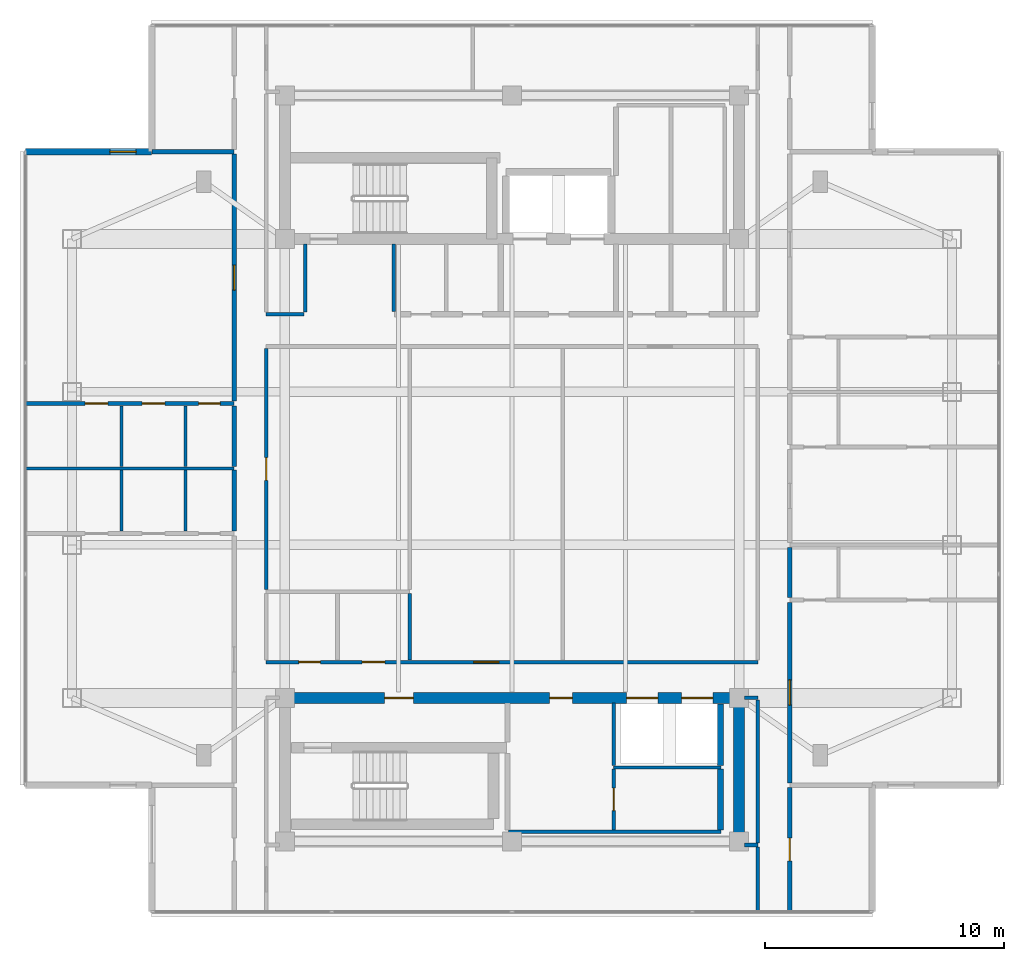
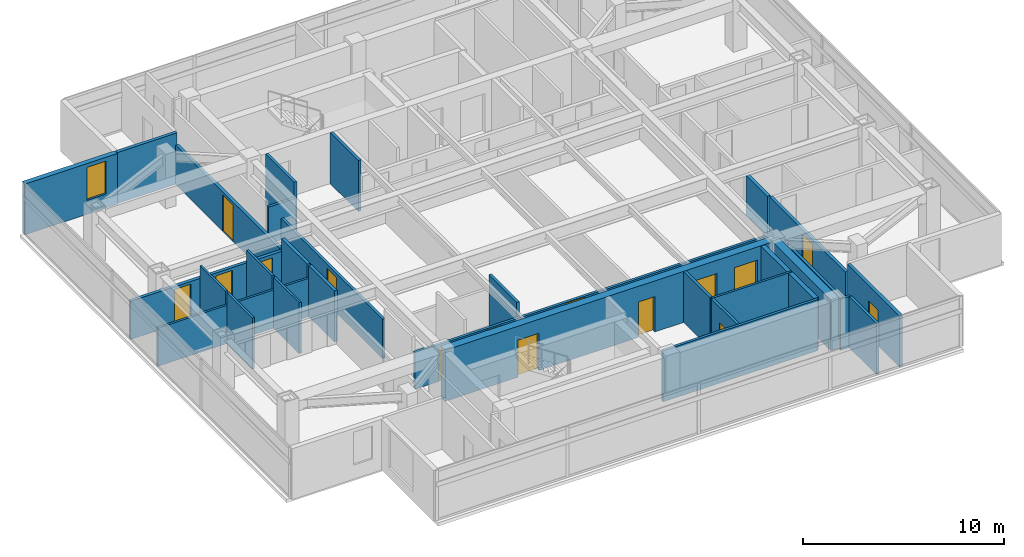
# One storey, part 7 of 12: 32 walls, 15 doors, 1 window, 16 openings.
"""IFC4 building model written with IfcOpenShell, lengths in metres."""

import ifcopenshell
import ifcopenshell.guid

model = None  # the IFC model being written
_history = None  # IfcOwnerHistory: only IFC2X3 demands one
_inside = {}  # id of a spatial element -> (the spatial element, [elements in it])
_under = {}  # id of a project, library or spatial element -> (it, [spatial elements below it])
_declared = {}  # id of a project -> (the project, [libraries it declares])
_typed = {}  # id of a type object -> (the type object, [elements of that type])
_made_of = {}  # id of a material, layer set ... -> (it, [elements and type objects made of it])


def new_model(schema):
    """Start an empty IFC model of exactly this schema.

    Asked for "IFC4X3", IfcOpenShell would pick the latest addendum, in which some entities
    have other attributes; the version numbers below select the first issue.
    IFC2X3 requires an IfcOwnerHistory on every rooted entity: one is made here for all.
    """
    global model, _history
    if schema == "IFC4X3":
        model = ifcopenshell.file(schema_version=(4, 3, 0, 0))
    else:
        model = ifcopenshell.file(schema=schema)
    _inside.clear()
    _under.clear()
    _declared.clear()
    _typed.clear()
    _made_of.clear()
    _history = None
    if model.schema == "IFC2X3":
        org = make("IfcOrganization", Name="unknown")
        user = make(
            "IfcPersonAndOrganization",
            ThePerson=make("IfcPerson", FamilyName="unknown"),
            TheOrganization=org,
        )
        app = make(
            "IfcApplication",
            ApplicationDeveloper=org,
            Version="unknown",
            ApplicationFullName="unknown",
            ApplicationIdentifier="unknown",
        )
        _history = make(
            "IfcOwnerHistory",
            OwningUser=user,
            OwningApplication=app,
            ChangeAction="ADDED",
            CreationDate=0,
        )
    return model


def make(cls, **values):
    """One entity of the class cls with the attributes given. An attribute that is None is left unset."""
    return model.create_entity(
        cls, **{name: value for name, value in values.items() if value is not None}
    )


def rooted(cls, **values):
    """An entity with a GlobalId (a new one), such as an element, a storey or a relation."""
    return make(cls, GlobalId=ifcopenshell.guid.new(), OwnerHistory=_history, **values)


def si_unit(unit_type, name, prefix=None):
    """IfcSIUnit, for example si_unit("LENGTHUNIT", "METRE", prefix="MILLI")."""
    return make("IfcSIUnit", UnitType=unit_type, Prefix=prefix, Name=name)


def assignment(units):
    """IfcUnitAssignment: the units of a project."""
    return None if units is None else make("IfcUnitAssignment", Units=units)


def point(xyz):
    """IfcCartesianPoint."""
    return None if xyz is None else make("IfcCartesianPoint", Coordinates=xyz)


def direction(xyz):
    """IfcDirection."""
    return None if xyz is None else make("IfcDirection", DirectionRatios=xyz)


def frame(location, z_axis=None, x_axis=None):
    """IfcAxis2Placement3D, a coordinate frame: its origin and axes. An axis left out is left unset."""
    return make(
        "IfcAxis2Placement3D",
        Location=point(location),
        Axis=direction(z_axis),
        RefDirection=direction(x_axis),
    )


def frame_2d(location, x_axis=None):
    """IfcAxis2Placement2D, a coordinate frame in the plane: its origin and x axis."""
    return make(
        "IfcAxis2Placement2D", Location=point(location), RefDirection=direction(x_axis)
    )


def origin():
    """The frame at (0, 0, 0) with its axes left unset."""
    return frame((0.0, 0.0, 0.0))


def place(relative_to, where):
    """IfcLocalPlacement: puts the frame where relative to a parent placement (None: the world)."""
    return make(
        "IfcLocalPlacement", PlacementRelTo=relative_to, RelativePlacement=where
    )


def context(
    kind, dimensions, precision=None, world=None, true_north=None, identifier=None
):
    """IfcGeometricRepresentationContext, for example the 3D "Model" context."""
    return make(
        "IfcGeometricRepresentationContext",
        ContextIdentifier=identifier,
        ContextType=kind,
        CoordinateSpaceDimension=dimensions,
        Precision=precision,
        WorldCoordinateSystem=world,
        TrueNorth=true_north,
    )


def subcontext(parent, identifier, kind, view, scale=None):
    """IfcGeometricRepresentationSubContext, for example "Body" below "Model"."""
    return make(
        "IfcGeometricRepresentationSubContext",
        ContextIdentifier=identifier,
        ContextType=kind,
        ParentContext=parent,
        TargetScale=scale,
        TargetView=view,
    )


def project(units=None, contexts=None):
    """IfcProject with its units and contexts."""
    return rooted(
        "IfcProject",
        Name="project",
        RepresentationContexts=contexts,
        UnitsInContext=assignment(units),
    )


def spatial(cls, under=None, at=None, **own):
    """A site, building, storey or space (cls), placed at a placement, below another one or the project."""
    s = rooted(cls, ObjectPlacement=at, **own)
    if under is not None:
        _under.setdefault(under.id(), (under, []))[1].append(s)
    return s


def profile(cls, at=None, kind="AREA", **sizes):
    """A parametric profile (cls). Its sizes go by their IFC names, for example OverallWidth=200.0."""
    return make(cls, ProfileType=kind, Position=at, **sizes)


def rectangle(**sizes):
    """IfcRectangleProfileDef."""
    return profile("IfcRectangleProfileDef", **sizes)


def extrude(swept, where, along, depth):
    """IfcExtrudedAreaSolid: the profile swept, set in the frame where, extruded along a direction by depth."""
    return make(
        "IfcExtrudedAreaSolid",
        SweptArea=swept,
        Position=where,
        ExtrudedDirection=direction(along),
        Depth=depth,
    )


def shape(context_of_items, identifier, shape_type, items):
    """IfcShapeRepresentation: the items that make up one representation, for example the "Body"."""
    return make(
        "IfcShapeRepresentation",
        ContextOfItems=context_of_items,
        RepresentationIdentifier=identifier,
        RepresentationType=shape_type,
        Items=items,
    )


def material(Name=None, Category=None):
    """IfcMaterial."""
    return make("IfcMaterial", Name=Name, Category=Category)


def layer(
    of_material, thickness, ventilated=None, Name=None, Category=None, Priority=None
):
    """IfcMaterialLayer: one layer of a wall or slab, of a material (None: an air gap)."""
    return make(
        "IfcMaterialLayer",
        Material=of_material,
        LayerThickness=thickness,
        IsVentilated=ventilated,
        Name=Name,
        Category=Category,
        Priority=Priority,
    )


def layer_set(layers, Name=None):
    """IfcMaterialLayerSet."""
    return make("IfcMaterialLayerSet", MaterialLayers=layers, LayerSetName=Name)


def made_of(thing, what):
    """Note that an element or type object is made of a material, layer set ...; save() writes the relation."""
    if what is not None:
        _made_of.setdefault(what.id(), (what, []))[1].append(thing)
    return thing


def type_object(cls, material=None, **own):
    """A type object (cls), such as IfcWallType, which elements share."""
    return made_of(rooted(cls, **own), material)


def element(
    cls,
    number,
    at=None,
    inside=None,
    cuts=None,
    type_object=None,
    material=None,
    context=None,
    identifier="Body",
    shape_type=None,
    held_by="IfcProductDefinitionShape",
    body=None,
    shapes=None,
    **own,
):
    """One element of the class cls, such as IfcWall. Its Tag is "e" and its number.

    at: its placement. inside: the storey or other place that contains it. cuts: it is an
    opening in that element (IfcRelVoidsElement). A single representation is given by context,
    identifier, shape_type and body (its items); several are given by shapes. held_by: the class
    of the entity that holds the representations. save() writes the other relations.
    """
    e = rooted(cls, Tag="e%d" % number, ObjectPlacement=at, **own)
    if body is not None:
        shapes = [shape(context, identifier, shape_type, body)]
    if shapes is not None:
        e.Representation = make(held_by, Representations=shapes)
    if inside is not None:
        _inside.setdefault(inside.id(), (inside, []))[1].append(e)
    if cuts is not None:
        rooted(
            "IfcRelVoidsElement", RelatingBuildingElement=cuts, RelatedOpeningElement=e
        )
    if type_object is not None:
        _typed.setdefault(type_object.id(), (type_object, []))[1].append(e)
    return made_of(e, material)


def fill(opening, filler):
    """IfcRelFillsElement: the door or window that sits in an opening."""
    return rooted(
        "IfcRelFillsElement",
        RelatingOpeningElement=opening,
        RelatedBuildingElement=filler,
    )


def aggregate(whole, parts):
    """IfcRelAggregates: a whole, such as a stair, and the parts it consists of."""
    return rooted("IfcRelAggregates", RelatingObject=whole, RelatedObjects=parts)


def save(model, path):
    """Write the relations noted so far, then the file.

    IfcRelAggregates (storeys below a building ...), IfcRelContainedInSpatialStructure (elements
    in a storey), IfcRelDefinesByType, IfcRelAssociatesMaterial and IfcRelDeclares: one each for
    every whole, place, type object, material and project.
    """
    for whole, parts in _under.values():
        aggregate(whole, parts)
    for where, things in _inside.values():
        rooted(
            "IfcRelContainedInSpatialStructure",
            RelatedElements=things,
            RelatingStructure=where,
        )
    for kind, things in _typed.values():
        rooted("IfcRelDefinesByType", RelatedObjects=things, RelatingType=kind)
    for what, things in _made_of.values():
        rooted("IfcRelAssociatesMaterial", RelatedObjects=things, RelatingMaterial=what)
    for by, libraries in _declared.values():
        rooted("IfcRelDeclares", RelatingContext=by, RelatedDefinitions=libraries)
    model.write(path)


model = new_model("IFC4")

# Units and contexts
model_context = context("Model", 3, precision=1e-05, world=origin(), true_north=direction((0.0, 1.0)))
body_context = subcontext(model_context, "Body", "Model", "MODEL_VIEW")
ifc_project = project(units=[si_unit("LENGTHUNIT", "METRE"), si_unit("AREAUNIT", "SQUARE_METRE"), si_unit("VOLUMEUNIT", "CUBIC_METRE"), si_unit("PLANEANGLEUNIT", "RADIAN"), si_unit("MASSUNIT", "GRAM", prefix="KILO")], contexts=[model_context])

# Site, building, storey
site_placement = place(None, origin())
site = spatial("IfcSite", under=ifc_project, at=site_placement, CompositionType="ELEMENT")
building_placement = place(site_placement, origin())
building = spatial("IfcBuilding", under=site, at=building_placement, Name="Mirazonda Arch Towers", CompositionType="ELEMENT")
storey_placement = place(building_placement, frame((0.0, 0.0, 222.699951171875)))
storey = spatial("IfcBuildingStorey", under=building, at=storey_placement, Name="L63", CompositionType="ELEMENT", Elevation=222.699951171875)

# Wall
ifc_material_1 = material(Name="Concrete C50/60", Category="concrete")
ifc_layer_1 = layer(ifc_material_1, 0.449951171875, Name="WALL-CORE-450")
ifc_layer_set_1 = layer_set([ifc_layer_1], Name="Concrete C50/60")
wall_type_1 = type_object("IfcWallType", Name="WALL-CORE-450", PredefinedType="SHEAR", material=ifc_layer_set_1)
wall_1_placement = place(storey_placement, frame((30.0, 12.39990234375, 0.0), z_axis=(0.0, 0.0, 1.0), x_axis=(0.0, 1.0, 0.0)))
element("IfcWall", 1, at=wall_1_placement, inside=storey, type_object=wall_type_1, Name="L63 T1S-E Core Shear Wall", PredefinedType="SHEAR", context=body_context, shape_type="SweptSolid", body=[
    extrude(rectangle(XDim=6.0, YDim=0.449951171875, at=frame_2d((3.0, 0.0))), origin(), (0.0, 0.0, 1.0), 3.10009765625),
])

# Wall, openings, doors
wall_2_placement = place(storey_placement, frame((11.0, 18.39990234375, 0.0), z_axis=(0.0, 0.0, 1.0), x_axis=(1.0, 0.0, 0.0)))
wall_2 = element("IfcWall", 2, at=wall_2_placement, inside=storey, type_object=wall_type_1, Name="L63 T1S-N Core Shear Wall", PredefinedType="SHEAR", context=body_context, shape_type="SweptSolid", body=[
    extrude(rectangle(XDim=19.0, YDim=0.449951171875, at=frame_2d((9.5, 0.0))), origin(), (0.0, 0.0, 1.0), 3.10009765625),
])
opening_1_placement = place(wall_2_placement, frame((4.175048828125, 0.0, 0.0)))
opening_1 = element("IfcOpeningElement", 3, at=opening_1_placement, cuts=wall_2, Name="Opening DR-117", PredefinedType="OPENING", context=body_context, shape_type="SweptSolid", body=[
    extrude(rectangle(XDim=1.199951171875, YDim=2.25, at=frame_2d((0.60009765625, 1.125))), frame((0.0, 0.23486328125, 0.0), z_axis=(0.0, -1.0, 0.0), x_axis=(1.0, 0.0, 0.0)), (0.0, 0.0, 1.0), 0.469970703125),
])
opening_2_placement = place(wall_2_placement, frame((11.074951171875, 0.0, 0.0)))
opening_2 = element("IfcOpeningElement", 4, at=opening_2_placement, cuts=wall_2, Name="Opening DR-104", PredefinedType="OPENING", context=body_context, shape_type="SweptSolid", body=[
    extrude(rectangle(XDim=0.949951171875, YDim=2.14990234375, at=frame_2d((0.47509765625, 1.074951171875))), frame((0.0, 0.23486328125, 0.0), z_axis=(0.0, -1.0, 0.0), x_axis=(1.0, 0.0, 0.0)), (0.0, 0.0, 1.0), 0.469970703125),
])
opening_3_placement = place(wall_2_placement, frame((14.300048828125, 0.0, 0.0)))
opening_3 = element("IfcOpeningElement", 5, at=opening_3_placement, cuts=wall_2, Name="Opening LD-111", PredefinedType="OPENING", context=body_context, shape_type="SweptSolid", body=[
    extrude(rectangle(XDim=1.300048828125, YDim=2.300048828125, at=frame_2d((0.64990234375, 1.14990234375))), frame((0.0, 0.23486328125, 0.0), z_axis=(0.0, -1.0, 0.0), x_axis=(1.0, 0.0, 0.0)), (0.0, 0.0, 1.0), 0.469970703125),
])
opening_4_placement = place(wall_2_placement, frame((16.60009765625, 0.0, 0.0)))
opening_4 = element("IfcOpeningElement", 6, at=opening_4_placement, cuts=wall_2, Name="Opening LD-111", PredefinedType="OPENING", context=body_context, shape_type="SweptSolid", body=[
    extrude(rectangle(XDim=1.300048828125, YDim=2.300048828125, at=frame_2d((0.64990234375, 1.14990234375))), frame((0.0, 0.23486328125, 0.0), z_axis=(0.0, -1.0, 0.0), x_axis=(1.0, 0.0, 0.0)), (0.0, 0.0, 1.0), 0.469970703125),
])
ifc_material_2 = material(Name="Architectural Brushed Steel S355", Category="steel")
door_type_1 = type_object("IfcDoorType", Name="DOOR-FFL-FD90-1200", OperationType="NOTDEFINED", PredefinedType="DOOR", material=ifc_material_2)
door_1_placement = place(opening_1_placement, origin())
door_1 = element("IfcDoor", 7, at=door_1_placement, inside=storey, type_object=door_type_1, Name="L63 South Core Stair & Lift Lobby Door", OperationType="SINGLE_SWING_LEFT", OverallHeight=2.25, OverallWidth=1.199951171875, PredefinedType="DOOR", context=body_context, shape_type="SweptSolid", body=[
    extrude(rectangle(XDim=1.199951171875, YDim=2.25, at=frame_2d((0.60009765625, 1.125))), frame((0.0, 0.02490234375, 0.0), z_axis=(0.0, -1.0, 0.0), x_axis=(1.0, 0.0, 0.0)), (0.0, 0.0, 1.0), 0.050048828125),
])
fill(opening_1, door_1)
door_type_2 = type_object("IfcDoorType", Name="DOOR-LIFT-LAND-1300", OperationType="NOTDEFINED", PredefinedType="DOOR", material=ifc_material_2)
door_2_placement = place(opening_3_placement, origin())
door_2 = element("IfcDoor", 8, at=door_2_placement, inside=storey, type_object=door_type_2, Name="L63 Lift Landing Sliding Door PL-T1H1", OperationType="DOUBLE_DOOR_SLIDING", OverallHeight=2.300048828125, OverallWidth=1.300048828125, PredefinedType="DOOR", context=body_context, shape_type="SweptSolid", body=[
    extrude(rectangle(XDim=1.300048828125, YDim=2.300048828125, at=frame_2d((0.64990234375, 1.14990234375))), frame((0.0, 0.02490234375, 0.0), z_axis=(0.0, -1.0, 0.0), x_axis=(1.0, 0.0, 0.0)), (0.0, 0.0, 1.0), 0.050048828125),
])
fill(opening_3, door_2)
door_3_placement = place(opening_4_placement, origin())
door_3 = element("IfcDoor", 9, at=door_3_placement, inside=storey, type_object=door_type_2, Name="L63 Lift Landing Sliding Door PL-T1H2", OperationType="DOUBLE_DOOR_SLIDING", OverallHeight=2.300048828125, OverallWidth=1.300048828125, PredefinedType="DOOR", context=body_context, shape_type="SweptSolid", body=[
    extrude(rectangle(XDim=1.300048828125, YDim=2.300048828125, at=frame_2d((0.64990234375, 1.14990234375))), frame((0.0, 0.02490234375, 0.0), z_axis=(0.0, -1.0, 0.0), x_axis=(1.0, 0.0, 0.0)), (0.0, 0.0, 1.0), 0.050048828125),
])
fill(opening_4, door_3)
door_type_3 = type_object("IfcDoorType", Name="DOOR-ROOM-950", OperationType="NOTDEFINED", PredefinedType="DOOR", material=ifc_material_2)
door_4_placement = place(opening_2_placement, origin())
door_4 = element("IfcDoor", 10, at=door_4_placement, inside=storey, type_object=door_type_3, Name="L63 Residents Wine Tasting Lounge Door", OperationType="SINGLE_SWING_LEFT", OverallHeight=2.14990234375, OverallWidth=0.949951171875, PredefinedType="DOOR", context=body_context, shape_type="SweptSolid", body=[
    extrude(rectangle(XDim=0.949951171875, YDim=2.14990234375, at=frame_2d((0.47509765625, 1.074951171875))), frame((0.0, 0.02490234375, 0.0), z_axis=(0.0, -1.0, 0.0), x_axis=(1.0, 0.0, 0.0)), (0.0, 0.0, 1.0), 0.050048828125),
])
fill(opening_2, door_4)

# Wall, opening, window
ifc_material_3 = material(Name="Precast Concrete C40/50", Category="concrete")
ifc_layer_2 = layer(ifc_material_3, 0.280029296875, Name="WALL-EXT-WALL-280")
ifc_layer_set_2 = layer_set([ifc_layer_2], Name="Precast Concrete C40/50")
wall_type_2 = type_object("IfcWallType", Name="WALL-EXT-WALL-280", PredefinedType="SOLIDWALL", material=ifc_layer_set_2)
wall_3_placement = place(storey_placement, frame((5.429931640625, 41.248046875, 0.0), z_axis=(0.0, 0.0, 1.0), x_axis=(-1.0, 0.0, 0.0)))
wall_3 = element("IfcWall", 11, at=wall_3_placement, inside=storey, type_object=wall_type_2, Name="L63 T1 Corner Notch Return Wall WL-L63-T1-CNW1", PredefinedType="SOLIDWALL", context=body_context, shape_type="SweptSolid", body=[
    extrude(rectangle(XDim=5.2900390625, YDim=0.280029296875, at=frame_2d((2.64501953125, 0.0))), origin(), (0.0, 0.0, 1.0), 3.080078125),
])
opening_5_placement = place(wall_3_placement, frame((0.64990234375, 0.0, 0.85009765625)))
opening_5 = element("IfcOpeningElement", 12, at=opening_5_placement, cuts=wall_3, Name="Opening WN-108", PredefinedType="OPENING", context=body_context, shape_type="SweptSolid", body=[
    extrude(rectangle(XDim=1.10009765625, YDim=2.0, at=frame_2d((0.550048828125, 1.0))), frame((0.0, 0.14990234375, 0.0), z_axis=(0.0, -1.0, 0.0), x_axis=(1.0, 0.0, 0.0)), (0.0, 0.0, 1.0), 0.300048828125),
])
ifc_material_4 = material(Name="Insulated Low-E Solar Glass", Category="glass")
window_type = type_object("IfcWindowType", Name="WIN-NOTCH-1100x2000", PartitioningType="SINGLE_PANEL", PredefinedType="WINDOW", material=ifc_material_4)
window_placement = place(opening_5_placement, origin())
window = element("IfcWindow", 13, at=window_placement, inside=storey, type_object=window_type, Name="L63 Punched Facade Window WN-L63-T1-CNW1", OverallHeight=2.0, OverallWidth=1.10009765625, PartitioningType="SINGLE_PANEL", PredefinedType="WINDOW", context=body_context, shape_type="SweptSolid", body=[
    extrude(rectangle(XDim=1.10009765625, YDim=2.0, at=frame_2d((0.550048828125, 1.0))), frame((0.0, 0.030029296875, 0.0), z_axis=(0.0, -1.0, 0.0), x_axis=(1.0, 0.0, 0.0)), (0.0, 0.0, 1.0), 0.06005859375),
])
fill(opening_5, window)

# Walls
ifc_material_5 = material(Name="Fire-Rated Gypsum Stud Partition")
ifc_layer_3 = layer(ifc_material_5, 0.14990234375, Name="WALL-PART-CORR-150")
ifc_layer_set_3 = layer_set([ifc_layer_3], Name="Fire-Rated Gypsum Stud Partition")
wall_type_3 = type_object("IfcWallType", Name="WALL-PART-CORR-150", PredefinedType="PARTITIONING", material=ifc_layer_set_3)
wall_4_placement = place(storey_placement, frame((30.219970703125, 12.25, 0.0), z_axis=(0.0, 0.0, 1.0), x_axis=(1.0, 0.0, 0.0)))
element("IfcWall", 14, at=wall_4_placement, inside=storey, type_object=wall_type_3, Name="L63 Interior Partition 002", PredefinedType="PARTITIONING", context=body_context, shape_type="SweptSolid", body=[
    extrude(rectangle(XDim=0.56005859375, YDim=0.14990234375, at=frame_2d((0.280029296875, 0.0))), origin(), (0.0, 0.0, 1.0), 3.10009765625),
])
wall_5_placement = place(storey_placement, frame((20.35009765625, 12.800048828125, 0.0), z_axis=(0.0, 0.0, 1.0), x_axis=(1.0, 0.0, 0.0)))
element("IfcWall", 15, at=wall_5_placement, inside=storey, type_object=wall_type_3, Name="L63 Interior Partition 003", PredefinedType="PARTITIONING", context=body_context, shape_type="SweptSolid", body=[
    extrude(rectangle(XDim=8.89990234375, YDim=0.14990234375, at=frame_2d((4.449951171875, 0.0))), origin(), (0.0, 0.0, 1.0), 3.10009765625),
])
wall_6_placement = place(storey_placement, frame((30.219970703125, 18.39990234375, 0.0), z_axis=(0.0, 0.0, 1.0), x_axis=(1.0, 0.0, 0.0)))
element("IfcWall", 16, at=wall_6_placement, inside=storey, type_object=wall_type_3, Name="L63 Interior Partition 010", PredefinedType="PARTITIONING", context=body_context, shape_type="SweptSolid", body=[
    extrude(rectangle(XDim=0.56005859375, YDim=0.14990234375, at=frame_2d((0.280029296875, 0.0))), origin(), (0.0, 0.0, 1.0), 2.491943359375),
])

# Wall, openings, doors
wall_7_placement = place(storey_placement, frame((10.219970703125, 19.89990234375, 0.0), z_axis=(0.0, 0.0, 1.0), x_axis=(1.0, 0.0, 0.0)))
wall_7 = element("IfcWall", 17, at=wall_7_placement, inside=storey, type_object=wall_type_3, Name="L63 Interior Partition 011", PredefinedType="PARTITIONING", context=body_context, shape_type="SweptSolid", body=[
    extrude(rectangle(XDim=20.56005859375, YDim=0.14990234375, at=frame_2d((10.280029296875, 0.0))), origin(), (0.0, 0.0, 1.0), 2.236083984375),
])
opening_6_placement = place(wall_7_placement, frame((1.360107421875, 0.0, 0.0)))
opening_6 = element("IfcOpeningElement", 18, at=opening_6_placement, cuts=wall_7, Name="Opening DR-120", PredefinedType="OPENING", context=body_context, shape_type="SweptSolid", body=[
    extrude(rectangle(XDim=0.89990234375, YDim=2.10009765625, at=frame_2d((0.449951171875, 1.050048828125))), frame((0.0, 0.0849609375, 0.0), z_axis=(0.0, -1.0, 0.0), x_axis=(1.0, 0.0, 0.0)), (0.0, 0.0, 1.0), 0.169921875),
])
opening_7_placement = place(wall_7_placement, frame((4.014892578125, 0.0, 0.0)))
opening_7 = element("IfcOpeningElement", 19, at=opening_7_placement, cuts=wall_7, Name="Opening DR-104", PredefinedType="OPENING", context=body_context, shape_type="SweptSolid", body=[
    extrude(rectangle(XDim=0.949951171875, YDim=2.14990234375, at=frame_2d((0.47509765625, 1.074951171875))), frame((0.0, 0.0849609375, 0.0), z_axis=(0.0, -1.0, 0.0), x_axis=(1.0, 0.0, 0.0)), (0.0, 0.0, 1.0), 0.169921875),
])
opening_8_placement = place(wall_7_placement, frame((8.677978515625, 0.0, 0.0)))
opening_8 = element("IfcOpeningElement", 20, at=opening_8_placement, cuts=wall_7, Name="Opening DR-121", PredefinedType="OPENING", context=body_context, shape_type="SweptSolid", body=[
    extrude(rectangle(XDim=1.050048828125, YDim=2.199951171875, at=frame_2d((0.52490234375, 1.10009765625))), frame((0.0, 0.0849609375, 0.0), z_axis=(0.0, -1.0, 0.0), x_axis=(1.0, 0.0, 0.0)), (0.0, 0.0, 1.0), 0.169921875),
])
door_5_placement = place(opening_7_placement, origin())
door_5 = element("IfcDoor", 21, at=door_5_placement, inside=storey, type_object=door_type_3, Name="L63 L63 West Courtyard Study Door", OperationType="SINGLE_SWING_LEFT", OverallHeight=2.14990234375, OverallWidth=0.949951171875, PredefinedType="DOOR", context=body_context, shape_type="SweptSolid", body=[
    extrude(rectangle(XDim=0.949951171875, YDim=2.14990234375, at=frame_2d((0.47509765625, 1.074951171875))), frame((0.0, 0.02490234375, 0.0), z_axis=(0.0, -1.0, 0.0), x_axis=(1.0, 0.0, 0.0)), (0.0, 0.0, 1.0), 0.050048828125),
])
fill(opening_7, door_5)
door_type_4 = type_object("IfcDoorType", Name="DOOR-SUITE-FD60-1050", OperationType="NOTDEFINED", PredefinedType="DOOR", material=ifc_material_2)
door_6_placement = place(opening_8_placement, origin())
door_6 = element("IfcDoor", 22, at=door_6_placement, inside=storey, type_object=door_type_4, Name="L63 Residents Private Library Door", OperationType="SINGLE_SWING_LEFT", OverallHeight=2.199951171875, OverallWidth=1.050048828125, PredefinedType="DOOR", context=body_context, shape_type="SweptSolid", body=[
    extrude(rectangle(XDim=1.050048828125, YDim=2.199951171875, at=frame_2d((0.52490234375, 1.10009765625))), frame((0.0, 0.02490234375, 0.0), z_axis=(0.0, -1.0, 0.0), x_axis=(1.0, 0.0, 0.0)), (0.0, 0.0, 1.0), 0.050048828125),
])
fill(opening_8, door_6)
door_type_5 = type_object("IfcDoorType", Name="DOOR-WC-900", OperationType="NOTDEFINED", PredefinedType="DOOR", material=ifc_material_2)
door_7_placement = place(opening_6_placement, origin())
door_7 = element("IfcDoor", 23, at=door_7_placement, inside=storey, type_object=door_type_5, Name="L63 Common Accessible WC Door", OperationType="SINGLE_SWING_LEFT", OverallHeight=2.10009765625, OverallWidth=0.89990234375, PredefinedType="DOOR", context=body_context, shape_type="SweptSolid", body=[
    extrude(rectangle(XDim=0.89990234375, YDim=2.10009765625, at=frame_2d((0.449951171875, 1.050048828125))), frame((0.0, 0.02490234375, 0.0), z_axis=(0.0, -1.0, 0.0), x_axis=(1.0, 0.0, 0.0)), (0.0, 0.0, 1.0), 0.050048828125),
])
fill(opening_6, door_7)

# Wall
wall_8_placement = place(storey_placement, frame((10.219970703125, 34.449951171875, 0.0), z_axis=(0.0, 0.0, 1.0), x_axis=(1.0, 0.0, 0.0)))
element("IfcWall", 24, at=wall_8_placement, inside=storey, type_object=wall_type_3, Name="L63 Interior Partition 022", PredefinedType="PARTITIONING", context=body_context, shape_type="SweptSolid", body=[
    extrude(rectangle(XDim=1.580078125, YDim=0.14990234375, at=frame_2d((0.7900390625, 0.0))), origin(), (0.0, 0.0, 1.0), 2.236083984375),
])

# Wall, opening, door
wall_9_placement = place(storey_placement, frame((10.219970703125, 22.93505859375, 0.0), z_axis=(0.0, 0.0, 1.0), x_axis=(0.0, 1.0, 0.0)))
wall_9 = element("IfcWall", 25, at=wall_9_placement, inside=storey, type_object=wall_type_3, Name="L63 Interior Partition 043", PredefinedType="PARTITIONING", context=body_context, shape_type="SweptSolid", body=[
    extrude(rectangle(XDim=10.079833984375, YDim=0.14990234375, at=frame_2d((5.0400390625, 0.0))), origin(), (0.0, 0.0, 1.0), 2.39599609375),
])
opening_9_placement = place(wall_9_placement, frame((4.56494140625, 0.0, 0.0)))
opening_9 = element("IfcOpeningElement", 26, at=opening_9_placement, cuts=wall_9, Name="Opening DR-104", PredefinedType="OPENING", context=body_context, shape_type="SweptSolid", body=[
    extrude(rectangle(XDim=0.949951171875, YDim=2.14990234375, at=frame_2d((0.47509765625, 1.074951171875))), frame((0.0, 0.0849609375, 0.0), z_axis=(0.0, -1.0, 0.0), x_axis=(1.0, 0.0, 0.0)), (0.0, 0.0, 1.0), 0.169921875),
])
door_8_placement = place(opening_9_placement, origin())
door_8 = element("IfcDoor", 27, at=door_8_placement, inside=storey, type_object=door_type_3, Name="L63 L63 West Courtyard Salon Door", OperationType="SINGLE_SWING_RIGHT", OverallHeight=2.14990234375, OverallWidth=0.949951171875, PredefinedType="DOOR", context=body_context, shape_type="SweptSolid", body=[
    extrude(rectangle(XDim=0.949951171875, YDim=2.14990234375, at=frame_2d((0.47509765625, 1.074951171875))), frame((0.0, 0.02490234375, 0.0), z_axis=(0.0, -1.0, 0.0), x_axis=(1.0, 0.0, 0.0)), (0.0, 0.0, 1.0), 0.050048828125),
])
fill(opening_9, door_8)

# Walls
wall_10_placement = place(storey_placement, frame((11.85009765625, 34.534912109375, 0.0), z_axis=(0.0, 0.0, 1.0), x_axis=(0.0, 1.0, 0.0)))
element("IfcWall", 28, at=wall_10_placement, inside=storey, type_object=wall_type_3, Name="L63 Interior Partition 046", PredefinedType="PARTITIONING", context=body_context, shape_type="SweptSolid", body=[
    extrude(rectangle(XDim=2.844970703125, YDim=0.14990234375, at=frame_2d((1.42236328125, 0.0))), origin(), (0.0, 0.0, 1.0), 3.10009765625),
])
wall_11_placement = place(storey_placement, frame((15.550048828125, 34.570068359375, 0.0), z_axis=(0.0, 0.0, 1.0), x_axis=(0.0, 1.0, 0.0)))
element("IfcWall", 29, at=wall_11_placement, inside=storey, type_object=wall_type_3, Name="L63 Interior Partition 048", PredefinedType="PARTITIONING", context=body_context, shape_type="SweptSolid", body=[
    extrude(rectangle(XDim=2.809814453125, YDim=0.14990234375, at=frame_2d((1.40478515625, 0.0))), origin(), (0.0, 0.0, 1.0), 3.10009765625),
])
wall_12_placement = place(storey_placement, frame((16.219970703125, 19.985107421875, 0.0), z_axis=(0.0, 0.0, 1.0), x_axis=(0.0, 1.0, 0.0)))
element("IfcWall", 30, at=wall_12_placement, inside=storey, type_object=wall_type_3, Name="L63 Interior Partition 049", PredefinedType="PARTITIONING", context=body_context, shape_type="SweptSolid", body=[
    extrude(rectangle(XDim=2.77978515625, YDim=0.14990234375, at=frame_2d((1.389892578125, 0.0))), origin(), (0.0, 0.0, 1.0), 3.10009765625),
])

# Wall, opening, door
wall_13_placement = place(storey_placement, frame((24.75, 12.885009765625, 0.0), z_axis=(0.0, 0.0, 1.0), x_axis=(0.0, 1.0, 0.0)))
wall_13 = element("IfcWall", 31, at=wall_13_placement, inside=storey, type_object=wall_type_3, Name="L63 Interior Partition 059", PredefinedType="PARTITIONING", context=body_context, shape_type="SweptSolid", body=[
    extrude(rectangle(XDim=2.54248046875, YDim=0.14990234375, at=frame_2d((1.271240234375, 0.0))), origin(), (0.0, 0.0, 1.0), 3.10009765625),
])
opening_10_placement = place(wall_13_placement, frame((0.79638671875, 0.0, 0.0)))
opening_10 = element("IfcOpeningElement", 32, at=opening_10_placement, cuts=wall_13, Name="Opening DR-104", PredefinedType="OPENING", context=body_context, shape_type="SweptSolid", body=[
    extrude(rectangle(XDim=0.949951171875, YDim=2.14990234375, at=frame_2d((0.47509765625, 1.074951171875))), frame((0.0, 0.0849609375, 0.0), z_axis=(0.0, -1.0, 0.0), x_axis=(1.0, 0.0, 0.0)), (0.0, 0.0, 1.0), 0.169921875),
])
door_9_placement = place(opening_10_placement, origin())
door_9 = element("IfcDoor", 33, at=door_9_placement, inside=storey, type_object=door_type_3, Name="L63 Residents Private Archive Study Door", OperationType="SINGLE_SWING_RIGHT", OverallHeight=2.14990234375, OverallWidth=0.949951171875, PredefinedType="DOOR", context=body_context, shape_type="SweptSolid", body=[
    extrude(rectangle(XDim=0.949951171875, YDim=2.14990234375, at=frame_2d((0.47509765625, 1.074951171875))), frame((0.0, 0.02490234375, 0.0), z_axis=(0.0, -1.0, 0.0), x_axis=(1.0, 0.0, 0.0)), (0.0, 0.0, 1.0), 0.050048828125),
])
fill(opening_10, door_9)

# Walls
wall_14_placement = place(storey_placement, frame((24.75, 15.572509765625, 0.0), z_axis=(0.0, 0.0, 1.0), x_axis=(0.0, 1.0, 0.0)))
element("IfcWall", 34, at=wall_14_placement, inside=storey, type_object=wall_type_3, Name="L63 Interior Partition 060", PredefinedType="PARTITIONING", context=body_context, shape_type="SweptSolid", body=[
    extrude(rectangle(XDim=2.607421875, YDim=0.14990234375, at=frame_2d((1.3037109375, 0.0))), origin(), (0.0, 0.0, 1.0), 3.10009765625),
])
wall_15_placement = place(storey_placement, frame((30.780029296875, 9.4619140625, 0.0), z_axis=(0.0, 0.0, 1.0), x_axis=(0.0, 1.0, 0.0)))
element("IfcWall", 35, at=wall_15_placement, inside=storey, type_object=wall_type_3, Name="L63 Interior Partition 070", PredefinedType="PARTITIONING", context=body_context, shape_type="SweptSolid", body=[
    extrude(rectangle(XDim=2.703125, YDim=0.14990234375, at=frame_2d((1.3515625, 0.0))), origin(), (0.0, 0.0, 1.0), 3.10009765625),
])
wall_16_placement = place(storey_placement, frame((30.780029296875, 12.3349609375, 0.0), z_axis=(0.0, 0.0, 1.0), x_axis=(0.0, 1.0, 0.0)))
element("IfcWall", 36, at=wall_16_placement, inside=storey, type_object=wall_type_3, Name="L63 Interior Partition 071", PredefinedType="PARTITIONING", context=body_context, shape_type="SweptSolid", body=[
    extrude(rectangle(XDim=5.97998046875, YDim=0.14990234375, at=frame_2d((2.989990234375, 0.0))), origin(), (0.0, 0.0, 1.0), 2.491943359375),
])

# Wall, openings, doors
ifc_material_6 = material(Name="Fire-Rated Gypsum Twin-Stud Assembly")
ifc_layer_4 = layer(ifc_material_6, 0.179931640625, Name="WALL-PART-DEMISE-180")
ifc_layer_set_4 = layer_set([ifc_layer_4], Name="Fire-Rated Gypsum Twin-Stud Assembly")
wall_type_4 = type_object("IfcWallType", Name="WALL-PART-DEMISE-180", PredefinedType="PARTITIONING", material=ifc_layer_set_4)
wall_17_placement = place(storey_placement, frame((0.139892578125, 30.719970703125, 0.0), z_axis=(0.0, 0.0, 1.0), x_axis=(1.0, 0.0, 0.0)))
wall_17 = element("IfcWall", 37, at=wall_17_placement, inside=storey, type_object=wall_type_4, Name="L63 Interior Partition 018", PredefinedType="PARTITIONING", context=body_context, shape_type="SweptSolid", body=[
    extrude(rectangle(XDim=8.739990234375, YDim=0.179931640625, at=frame_2d((4.3701171875, 0.0))), origin(), (0.0, 0.0, 1.0), 2.319091796875),
])
opening_11_placement = place(wall_17_placement, frame((2.5048828125, 0.0, 0.0)))
opening_11 = element("IfcOpeningElement", 38, at=opening_11_placement, cuts=wall_17, Name="Opening DR-104", PredefinedType="OPENING", context=body_context, shape_type="SweptSolid", body=[
    extrude(rectangle(XDim=0.949951171875, YDim=2.14990234375, at=frame_2d((0.47509765625, 1.074951171875))), frame((0.0, 0.099853515625, 0.0), z_axis=(0.0, -1.0, 0.0), x_axis=(1.0, 0.0, 0.0)), (0.0, 0.0, 1.0), 0.199951171875),
])
opening_12_placement = place(wall_17_placement, frame((4.885009765625, 0.0, 0.0)))
opening_12 = element("IfcOpeningElement", 39, at=opening_12_placement, cuts=wall_17, Name="Opening DR-104", PredefinedType="OPENING", context=body_context, shape_type="SweptSolid", body=[
    extrude(rectangle(XDim=0.949951171875, YDim=2.14990234375, at=frame_2d((0.47509765625, 1.074951171875))), frame((0.0, 0.099853515625, 0.0), z_axis=(0.0, -1.0, 0.0), x_axis=(1.0, 0.0, 0.0)), (0.0, 0.0, 1.0), 0.199951171875),
])
opening_13_placement = place(wall_17_placement, frame((7.25, 0.0, 0.0)))
opening_13 = element("IfcOpeningElement", 40, at=opening_13_placement, cuts=wall_17, Name="Opening DR-120", PredefinedType="OPENING", context=body_context, shape_type="SweptSolid", body=[
    extrude(rectangle(XDim=0.89990234375, YDim=2.10009765625, at=frame_2d((0.449951171875, 1.050048828125))), frame((0.0, 0.099853515625, 0.0), z_axis=(0.0, -1.0, 0.0), x_axis=(1.0, 0.0, 0.0)), (0.0, 0.0, 1.0), 0.199951171875),
])
door_10_placement = place(opening_11_placement, origin())
door_10 = element("IfcDoor", 41, at=door_10_placement, inside=storey, type_object=door_type_3, Name="L63 Residence 2 Principal Bedroom Door", OperationType="SINGLE_SWING_LEFT", OverallHeight=2.14990234375, OverallWidth=0.949951171875, PredefinedType="DOOR", context=body_context, shape_type="SweptSolid", body=[
    extrude(rectangle(XDim=0.949951171875, YDim=2.14990234375, at=frame_2d((0.47509765625, 1.074951171875))), frame((0.0, 0.02490234375, 0.0), z_axis=(0.0, -1.0, 0.0), x_axis=(1.0, 0.0, 0.0)), (0.0, 0.0, 1.0), 0.050048828125),
])
fill(opening_11, door_10)
door_11_placement = place(opening_12_placement, origin())
door_11 = element("IfcDoor", 42, at=door_11_placement, inside=storey, type_object=door_type_3, Name="L63 Residence 2 Fitted Kitchen Door", OperationType="SINGLE_SWING_RIGHT", OverallHeight=2.14990234375, OverallWidth=0.949951171875, PredefinedType="DOOR", context=body_context, shape_type="SweptSolid", body=[
    extrude(rectangle(XDim=0.949951171875, YDim=2.14990234375, at=frame_2d((0.47509765625, 1.074951171875))), frame((0.0, 0.02490234375, 0.0), z_axis=(0.0, -1.0, 0.0), x_axis=(1.0, 0.0, 0.0)), (0.0, 0.0, 1.0), 0.050048828125),
])
fill(opening_12, door_11)
door_12_placement = place(opening_13_placement, origin())
door_12 = element("IfcDoor", 43, at=door_12_placement, inside=storey, type_object=door_type_5, Name="L63 Residence 2 Bathroom Door", OperationType="SINGLE_SWING_LEFT", OverallHeight=2.10009765625, OverallWidth=0.89990234375, PredefinedType="DOOR", context=body_context, shape_type="SweptSolid", body=[
    extrude(rectangle(XDim=0.89990234375, YDim=2.10009765625, at=frame_2d((0.449951171875, 1.050048828125))), frame((0.0, 0.02490234375, 0.0), z_axis=(0.0, -1.0, 0.0), x_axis=(1.0, 0.0, 0.0)), (0.0, 0.0, 1.0), 0.050048828125),
])
fill(opening_13, door_12)

# Walls
wall_18_placement = place(storey_placement, frame((5.449951171875, 41.248046875, 0.0), z_axis=(0.0, 0.0, 1.0), x_axis=(1.0, 0.0, 0.0)))
element("IfcWall", 44, at=wall_18_placement, inside=storey, type_object=wall_type_4, Name="L63 Interior Partition 025", PredefinedType="PARTITIONING", context=body_context, shape_type="SweptSolid", body=[
    extrude(rectangle(XDim=3.429931640625, YDim=0.179931640625, at=frame_2d((1.71484375, 0.0))), origin(), (0.0, 0.0, 1.0), 3.10009765625),
])
for number, where, z_axis, x_axis, name in (
    (45, (8.8798828125, 25.3798828125, 0.0), (0.0, 0.0, 1.0), (0.0, 1.0, 0.0), "L63 Interior Partition 036"),
    (46, (8.8798828125, 28.072509765625, 0.0), (0.0, 0.0, 1.0), (0.0, 1.0, 0.0), "L63 Interior Partition 037"),
):
    element("IfcWall", number, at=place(storey_placement, frame(where, z_axis=z_axis, x_axis=x_axis)), inside=storey, type_object=wall_type_4, Name=name, PredefinedType="PARTITIONING", context=body_context, shape_type="SweptSolid", body=[
        extrude(rectangle(XDim=2.547607421875, YDim=0.179931640625, at=frame_2d((1.27392578125, 0.0))), origin(), (0.0, 0.0, 1.0), 3.10009765625),
    ])

# Wall, opening, door
wall_19_placement = place(storey_placement, frame((8.8798828125, 30.820068359375, 0.0), z_axis=(0.0, 0.0, 1.0), x_axis=(0.0, 1.0, 0.0)))
wall_19 = element("IfcWall", 47, at=wall_19_placement, inside=storey, type_object=wall_type_4, Name="L63 Interior Partition 038", PredefinedType="PARTITIONING", context=body_context, shape_type="SweptSolid", body=[
    extrude(rectangle(XDim=10.327880859375, YDim=0.179931640625, at=frame_2d((5.1640625, 0.0))), origin(), (0.0, 0.0, 1.0), 2.39599609375),
])
opening_14_placement = place(wall_19_placement, frame((4.638916015625, 0.0, 0.0)))
opening_14 = element("IfcOpeningElement", 48, at=opening_14_placement, cuts=wall_19, Name="Opening DR-121", PredefinedType="OPENING", context=body_context, shape_type="SweptSolid", body=[
    extrude(rectangle(XDim=1.050048828125, YDim=2.199951171875, at=frame_2d((0.52490234375, 1.10009765625))), frame((0.0, 0.099853515625, 0.0), z_axis=(0.0, -1.0, 0.0), x_axis=(1.0, 0.0, 0.0)), (0.0, 0.0, 1.0), 0.199951171875),
])
door_13_placement = place(opening_14_placement, origin())
door_13 = element("IfcDoor", 49, at=door_13_placement, inside=storey, type_object=door_type_4, Name="L63 Penthouse Residence 2 Living & Dining Salon Door", OperationType="SINGLE_SWING_RIGHT", OverallHeight=2.199951171875, OverallWidth=1.050048828125, PredefinedType="DOOR", context=body_context, shape_type="SweptSolid", body=[
    extrude(rectangle(XDim=1.050048828125, YDim=2.199951171875, at=frame_2d((0.52490234375, 1.10009765625))), frame((0.0, 0.02490234375, 0.0), z_axis=(0.0, -1.0, 0.0), x_axis=(1.0, 0.0, 0.0)), (0.0, 0.0, 1.0), 0.050048828125),
])
fill(opening_14, door_13)

wall_20_placement = place(storey_placement, frame((32.1201171875, 9.4619140625, 0.0), z_axis=(0.0, 0.0, 1.0), x_axis=(0.0, 1.0, 0.0)))
wall_20 = element("IfcWall", 50, at=wall_20_placement, inside=storey, type_object=wall_type_4, Name="L63 Interior Partition 075", PredefinedType="PARTITIONING", context=body_context, shape_type="SweptSolid", body=[
    extrude(rectangle(XDim=5.190185546875, YDim=0.179931640625, at=frame_2d((2.59521484375, 0.0))), origin(), (0.0, 0.0, 1.0), 3.10009765625),
])
opening_15_placement = place(wall_20_placement, frame((2.1201171875, 0.0, 0.0)))
opening_15 = element("IfcOpeningElement", 51, at=opening_15_placement, cuts=wall_20, Name="Opening DR-104", PredefinedType="OPENING", context=body_context, shape_type="SweptSolid", body=[
    extrude(rectangle(XDim=0.949951171875, YDim=2.14990234375, at=frame_2d((0.47509765625, 1.074951171875))), frame((0.0, 0.099853515625, 0.0), z_axis=(0.0, -1.0, 0.0), x_axis=(1.0, 0.0, 0.0)), (0.0, 0.0, 1.0), 0.199951171875),
])
door_14_placement = place(opening_15_placement, origin())
door_14 = element("IfcDoor", 52, at=door_14_placement, inside=storey, type_object=door_type_3, Name="L63 South Panoramic Study Alcove East Door", OperationType="SINGLE_SWING_LEFT", OverallHeight=2.14990234375, OverallWidth=0.949951171875, PredefinedType="DOOR", context=body_context, shape_type="SweptSolid", body=[
    extrude(rectangle(XDim=0.949951171875, YDim=2.14990234375, at=frame_2d((0.47509765625, 1.074951171875))), frame((0.0, 0.02490234375, 0.0), z_axis=(0.0, -1.0, 0.0), x_axis=(1.0, 0.0, 0.0)), (0.0, 0.0, 1.0), 0.050048828125),
])
fill(opening_15, door_14)

wall_21_placement = place(storey_placement, frame((32.1201171875, 14.85205078125, 0.0), z_axis=(0.0, 0.0, 1.0), x_axis=(0.0, 1.0, 0.0)))
wall_21 = element("IfcWall", 53, at=wall_21_placement, inside=storey, type_object=wall_type_4, Name="L63 Interior Partition 076", PredefinedType="PARTITIONING", context=body_context, shape_type="SweptSolid", body=[
    extrude(rectangle(XDim=7.5478515625, YDim=0.179931640625, at=frame_2d((3.77392578125, 0.0))), origin(), (0.0, 0.0, 1.0), 2.491943359375),
])
opening_16_placement = place(wall_21_placement, frame((3.2490234375, 0.0, 0.0)))
opening_16 = element("IfcOpeningElement", 54, at=opening_16_placement, cuts=wall_21, Name="Opening DR-121", PredefinedType="OPENING", context=body_context, shape_type="SweptSolid", body=[
    extrude(rectangle(XDim=1.050048828125, YDim=2.199951171875, at=frame_2d((0.52490234375, 1.10009765625))), frame((0.0, 0.099853515625, 0.0), z_axis=(0.0, -1.0, 0.0), x_axis=(1.0, 0.0, 0.0)), (0.0, 0.0, 1.0), 0.199951171875),
])
door_15_placement = place(opening_16_placement, origin())
door_15 = element("IfcDoor", 55, at=door_15_placement, inside=storey, type_object=door_type_4, Name="L63 Studio Apartment 1 Living Salon Door", OperationType="SINGLE_SWING_RIGHT", OverallHeight=2.199951171875, OverallWidth=1.050048828125, PredefinedType="DOOR", context=body_context, shape_type="SweptSolid", body=[
    extrude(rectangle(XDim=1.050048828125, YDim=2.199951171875, at=frame_2d((0.52490234375, 1.10009765625))), frame((0.0, 0.02490234375, 0.0), z_axis=(0.0, -1.0, 0.0), x_axis=(1.0, 0.0, 0.0)), (0.0, 0.0, 1.0), 0.050048828125),
])
fill(opening_16, door_15)

# Walls
wall_22_placement = place(storey_placement, frame((32.1201171875, 22.60009765625, 0.0), z_axis=(0.0, 0.0, 1.0), x_axis=(0.0, 1.0, 0.0)))
element("IfcWall", 56, at=wall_22_placement, inside=storey, type_object=wall_type_4, Name="L63 Interior Partition 077", PredefinedType="PARTITIONING", context=body_context, shape_type="SweptSolid", body=[
    extrude(rectangle(XDim=2.099853515625, YDim=0.179931640625, at=frame_2d((1.0498046875, 0.0))), origin(), (0.0, 0.0, 1.0), 2.39599609375),
])
ifc_material_7 = material(Name="Acoustic Fire-Rated Gypsum Partition")
ifc_layer_5 = layer(ifc_material_7, 0.125, Name="WALL-PART-UNIT-125")
ifc_layer_set_5 = layer_set([ifc_layer_5], Name="Acoustic Fire-Rated Gypsum Partition")
wall_type_5 = type_object("IfcWallType", Name="WALL-PART-UNIT-125", PredefinedType="PARTITIONING", material=ifc_layer_set_5)
wall_23_placement = place(storey_placement, frame((24.75, 15.5, 0.0), z_axis=(0.0, 0.0, 1.0), x_axis=(1.0, 0.0, 0.0)))
element("IfcWall", 57, at=wall_23_placement, inside=storey, type_object=wall_type_5, Name="L63 Interior Partition 007", PredefinedType="PARTITIONING", context=body_context, shape_type="SweptSolid", body=[
    extrude(rectangle(XDim=4.5, YDim=0.125, at=frame_2d((2.25, 0.0))), origin(), (0.0, 0.0, 1.0), 3.10009765625),
])
wall_24_placement = place(storey_placement, frame((0.139892578125, 28.0, 0.0), z_axis=(0.0, 0.0, 1.0), x_axis=(1.0, 0.0, 0.0)))
element("IfcWall", 58, at=wall_24_placement, inside=storey, type_object=wall_type_5, Name="L63 Interior Partition 016", PredefinedType="PARTITIONING", context=body_context, shape_type="SweptSolid", body=[
    extrude(rectangle(XDim=8.739990234375, YDim=0.125, at=frame_2d((4.3701171875, 0.0))), origin(), (0.0, 0.0, 1.0), 2.319091796875),
])
for number, where, z_axis, x_axis, name in (
    (59, (4.159912109375, 25.3798828125, 0.0), (0.0, 0.0, 1.0), (0.0, 1.0, 0.0), "L63 Interior Partition 030"),
    (60, (4.159912109375, 28.072509765625, 0.0), (0.0, 0.0, 1.0), (0.0, 1.0, 0.0), "L63 Interior Partition 031"),
    (61, (6.840087890625, 25.3798828125, 0.0), (0.0, 0.0, 1.0), (0.0, 1.0, 0.0), "L63 Interior Partition 032"),
    (62, (6.840087890625, 28.072509765625, 0.0), (0.0, 0.0, 1.0), (0.0, 1.0, 0.0), "L63 Interior Partition 033"),
):
    element("IfcWall", number, at=place(storey_placement, frame(where, z_axis=z_axis, x_axis=x_axis)), inside=storey, type_object=wall_type_5, Name=name, PredefinedType="PARTITIONING", context=body_context, shape_type="SweptSolid", body=[
        extrude(rectangle(XDim=2.547607421875, YDim=0.125, at=frame_2d((1.27392578125, 0.0))), origin(), (0.0, 0.0, 1.0), 3.10009765625),
    ])
ifc_material_8 = material(Name="Concrete C40/50", Category="concrete")
ifc_layer_6 = layer(ifc_material_8, 0.25, Name="WALL-SHAFT-250")
ifc_layer_set_6 = layer_set([ifc_layer_6], Name="Concrete C40/50")
wall_type_6 = type_object("IfcWallType", Name="WALL-SHAFT-250", PredefinedType="SOLIDWALL", material=ifc_layer_set_6)
wall_25_placement = place(storey_placement, frame((29.22509765625, 12.885009765625, 0.0), z_axis=(0.0, 0.0, 1.0), x_axis=(0.0, 1.0, 0.0)))
element("IfcWall", 63, at=wall_25_placement, inside=storey, type_object=wall_type_6, Name="L63 Interior Partition 066", PredefinedType="SOLIDWALL", context=body_context, shape_type="SweptSolid", body=[
    extrude(rectangle(XDim=2.54248046875, YDim=0.25, at=frame_2d((1.271240234375, 0.0))), origin(), (0.0, 0.0, 1.0), 3.10009765625),
])
wall_26_placement = place(storey_placement, frame((29.22509765625, 15.572509765625, 0.0), z_axis=(0.0, 0.0, 1.0), x_axis=(0.0, 1.0, 0.0)))
element("IfcWall", 64, at=wall_26_placement, inside=storey, type_object=wall_type_6, Name="L63 Interior Partition 067", PredefinedType="SOLIDWALL", context=body_context, shape_type="SweptSolid", body=[
    extrude(rectangle(XDim=2.577392578125, YDim=0.25, at=frame_2d((1.28857421875, 0.0))), origin(), (0.0, 0.0, 1.0), 3.10009765625),
])

save(model, "model.ifc")
